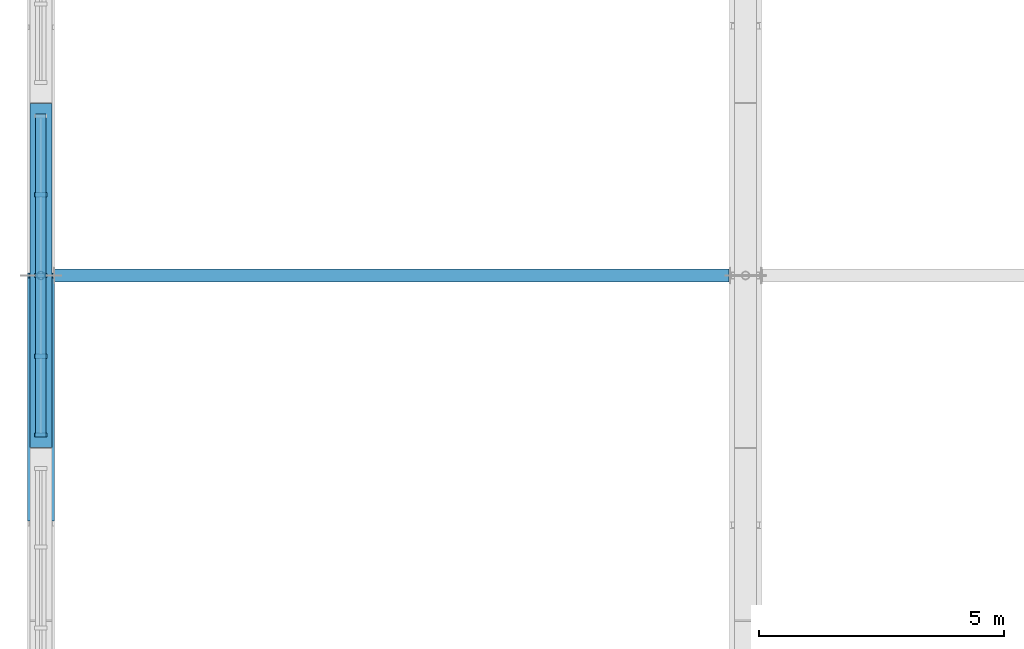
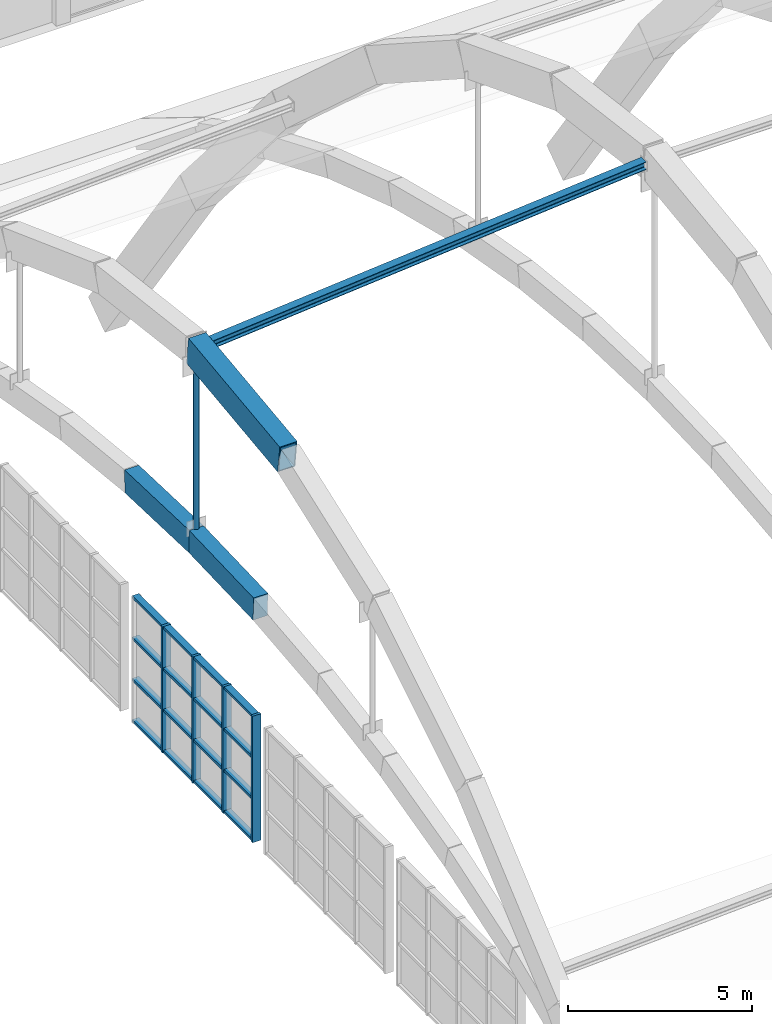
# One storey, part 5 of 64: 11 members, 2 beams, 1 element without a shape of its own.
"""IFC4 building model written with IfcOpenShell, lengths in metres."""

from ifc_helpers import new_model, si_unit, direction, frame, origin, origin_2d, place, context, subcontext, project, spatial, rectangle, hollow_rectangle, hollow_circle, i_section, extrude, material, material_profile, profile_set, type_object, element, aggregate, save


model = new_model("IFC4")

# Units and contexts
model_context = context("Model", 3, precision=1e-05, world=origin(), true_north=direction((0.0, 1.0)))
body_context = subcontext(model_context, "Body", "Model", "MODEL_VIEW")
ifc_project = project(units=[si_unit("LENGTHUNIT", "METRE"), si_unit("AREAUNIT", "SQUARE_METRE"), si_unit("VOLUMEUNIT", "CUBIC_METRE"), si_unit("PLANEANGLEUNIT", "RADIAN"), si_unit("MASSUNIT", "GRAM", prefix="KILO")], contexts=[model_context])

# Site, building, storey
site_placement = place(None, origin())
site = spatial("IfcSite", under=ifc_project, at=site_placement, CompositionType="ELEMENT")
building_placement = place(site_placement, origin())
building = spatial("IfcBuilding", under=site, at=building_placement, Name="Leyfeld Transit Interchange", CompositionType="ELEMENT")
storey_placement = place(building_placement, frame((0.0, 0.0, 9.60009765625)))
storey = spatial("IfcBuildingStorey", under=building, at=storey_placement, Name="L02", CompositionType="ELEMENT", Elevation=9.60009765625)

# Beams
ifc_material_1 = material(Name="Concrete C40/50", Category="concrete")
ifc_material_profile_1 = material_profile(ifc_material_1, rectangle(XDim=0.449951171875, YDim=0.75, at=origin_2d()), Name="RC 750x450 RIB")
ifc_profile_set_1 = profile_set([ifc_material_profile_1], Name="Concrete C40/50")
beam_type = type_object("IfcBeamType", Name="BM-RIB-750x450", PredefinedType="USERDEFINED", material=ifc_profile_set_1)
for number, where, z_axis, x_axis, name in (
    (1, (0.0, 28.89990234375, 7.317626953125), (0.0, 0.999387477159, 0.034995292518), (-1.0, 0.0, 0.0), "Concourse Vault Rib A1 Seg 8"),
    (2, (0.0, 32.39990234375, 7.440185546875), (0.0, 0.999387477159, -0.034995292518), (-1.0, 0.0, 0.0), "Concourse Vault Rib A1 Seg 9"),
):
    element("IfcBeam", number, at=place(storey_placement, frame(where, z_axis=z_axis, x_axis=x_axis)), inside=storey, type_object=beam_type, Name=name, ObjectType="ARCH_RIB", PredefinedType="USERDEFINED", context=body_context, shape_type="SweptSolid", body=[
        extrude(rectangle(XDim=0.449951171875, YDim=0.75, at=origin_2d()), origin(), (0.0, 0.0, 1.0), 3.502197265625),
    ])

# Curtain wall, members
ifc_material_2 = material(Name="Anodised aluminium EN AW-6060 T66", Category="aluminium")
curtain_wall_type = type_object("IfcCurtainWallType", Name="CW-SYS-GAB-7200", PredefinedType="NOTDEFINED", material=ifc_material_2)
curtain_wall_placement = place(storey_placement, origin())
curtain_wall = element("IfcCurtainWall", 3, at=curtain_wall_placement, inside=storey, type_object=curtain_wall_type, Name="Curtain Wall CW-L02-GABW-03", PredefinedType="NOTDEFINED")
ifc_material_profile_2 = material_profile(ifc_material_2, rectangle(XDim=0.0849609375, YDim=0.260009765625, at=origin_2d()), Name="CW-M 85x260")
ifc_profile_set_2 = profile_set([ifc_material_profile_2], Name="Anodised aluminium EN AW-6060 T66")
member_type_1 = type_object("IfcMemberType", Name="CW-MUL-220x80", PredefinedType="MULLION", material=ifc_profile_set_2)
member_1_placement = place(storey_placement, frame((0.0, 29.142578125, -0.60009765625), z_axis=(0.0, 0.0, 1.0), x_axis=(0.0, 1.0, 0.0)))
member_1 = element("IfcMember", 4, at=member_1_placement, type_object=member_type_1, Name="Curtain Mullion CW-L02-GABW-03-M01", PredefinedType="MULLION", context=body_context, shape_type="SweptSolid", body=[
    extrude(rectangle(XDim=0.0849609375, YDim=0.260009765625, at=origin_2d()), origin(), (0.0, 0.0, 1.0), 4.199951171875),
])
member_2_placement = place(storey_placement, frame((0.0, 30.75, -0.60009765625), z_axis=(0.0, 0.0, 1.0), x_axis=(0.0, 1.0, 0.0)))
member_2 = element("IfcMember", 5, at=member_2_placement, type_object=member_type_1, Name="Curtain Mullion CW-L02-GABW-03-M02", PredefinedType="MULLION", context=body_context, shape_type="SweptSolid", body=[
    extrude(rectangle(XDim=0.0849609375, YDim=0.260009765625, at=origin_2d()), origin(), (0.0, 0.0, 1.0), 4.199951171875),
])
member_3_placement = place(storey_placement, frame((0.0, 32.39990234375, -0.60009765625), z_axis=(0.0, 0.0, 1.0), x_axis=(0.0, 1.0, 0.0)))
member_3 = element("IfcMember", 6, at=member_3_placement, type_object=member_type_1, Name="Curtain Mullion CW-L02-GABW-03-M03", PredefinedType="MULLION", context=body_context, shape_type="SweptSolid", body=[
    extrude(rectangle(XDim=0.0849609375, YDim=0.260009765625, at=origin_2d()), origin(), (0.0, 0.0, 1.0), 4.199951171875),
])
member_4_placement = place(storey_placement, frame((0.0, 34.050048828125, -0.60009765625), z_axis=(0.0, 0.0, 1.0), x_axis=(0.0, 1.0, 0.0)))
member_4 = element("IfcMember", 7, at=member_4_placement, type_object=member_type_1, Name="Curtain Mullion CW-L02-GABW-03-M04", PredefinedType="MULLION", context=body_context, shape_type="SweptSolid", body=[
    extrude(rectangle(XDim=0.0849609375, YDim=0.260009765625, at=origin_2d()), origin(), (0.0, 0.0, 1.0), 4.199951171875),
])
ifc_material_profile_3 = material_profile(ifc_material_2, rectangle(XDim=0.2099609375, YDim=0.0849609375, at=origin_2d()), Name="CW-TRN-200x80")
ifc_profile_set_3 = profile_set([ifc_material_profile_3], Name="Anodised aluminium EN AW-6060 T66")
member_type_2 = type_object("IfcMemberType", Name="CW-TRN-200x80", PredefinedType="USERDEFINED", material=ifc_profile_set_3)
member_5_placement = place(storey_placement, frame((0.0, 29.10009765625, -0.5576171875), z_axis=(0.0, 1.0, 0.0), x_axis=(-1.0, 0.0, 0.0)))
member_5 = element("IfcMember", 8, at=member_5_placement, type_object=member_type_2, Name="Curtain Transom CW-L02-GABW-03-T01", ObjectType="TRANSOM", PredefinedType="USERDEFINED", context=body_context, shape_type="SweptSolid", body=[
    extrude(rectangle(XDim=0.2099609375, YDim=0.0849609375, at=origin_2d()), origin(), (0.0, 0.0, 1.0), 6.599853515625),
])
member_6_placement = place(storey_placement, frame((0.0, 29.10009765625, 0.814208984375), z_axis=(0.0, 1.0, 0.0), x_axis=(-1.0, 0.0, 0.0)))
member_6 = element("IfcMember", 9, at=member_6_placement, type_object=member_type_2, Name="Curtain Transom CW-L02-GABW-03-T02", ObjectType="TRANSOM", PredefinedType="USERDEFINED", context=body_context, shape_type="SweptSolid", body=[
    extrude(rectangle(XDim=0.2099609375, YDim=0.0849609375, at=origin_2d()), origin(), (0.0, 0.0, 1.0), 6.599853515625),
])
member_7_placement = place(storey_placement, frame((0.0, 29.10009765625, 2.185791015625), z_axis=(0.0, 1.0, 0.0), x_axis=(-1.0, 0.0, 0.0)))
member_7 = element("IfcMember", 10, at=member_7_placement, type_object=member_type_2, Name="Curtain Transom CW-L02-GABW-03-T03", ObjectType="TRANSOM", PredefinedType="USERDEFINED", context=body_context, shape_type="SweptSolid", body=[
    extrude(rectangle(XDim=0.2099609375, YDim=0.0849609375, at=origin_2d()), origin(), (0.0, 0.0, 1.0), 6.599853515625),
])
member_8_placement = place(storey_placement, frame((0.0, 29.10009765625, 3.557373046875), z_axis=(0.0, 1.0, 0.0), x_axis=(-1.0, 0.0, 0.0)))
member_8 = element("IfcMember", 11, at=member_8_placement, type_object=member_type_2, Name="Curtain Transom CW-L02-GABW-03-T04", ObjectType="TRANSOM", PredefinedType="USERDEFINED", context=body_context, shape_type="SweptSolid", body=[
    extrude(rectangle(XDim=0.2099609375, YDim=0.0849609375, at=origin_2d()), origin(), (0.0, 0.0, 1.0), 6.599853515625),
])
aggregate(curtain_wall, [member_1, member_2, member_3, member_4, member_5, member_6, member_7, member_8])

# Members
ifc_material_3 = material(Name="Steel S355J2 - Ochre Arch", Category="steel")
ifc_material_profile_4 = material_profile(ifc_material_3, hollow_rectangle(XDim=0.550048828125, YDim=0.89990234375, WallThickness=0.031982421875, at=origin_2d()), Name="RHS 900x550x32")
ifc_profile_set_4 = profile_set([ifc_material_profile_4], Name="Steel S355J2 - Ochre Arch")
member_type_3 = type_object("IfcMemberType", Name="MEM-ARCH-900", PredefinedType="USERDEFINED", material=ifc_profile_set_4)
member_9_placement = place(storey_placement, frame((0.0, 27.433349609375, 13.191650390625), z_axis=(0.0, 0.992586268566, 0.121542171508), x_axis=(-1.0, 0.0, 0.0)))
element("IfcMember", 12, at=member_9_placement, inside=storey, type_object=member_type_3, Name="Primary Steel Arch GP-W Seg 6", ObjectType="ARCH_SEGMENT", PredefinedType="USERDEFINED", context=body_context, shape_type="SweptSolid", body=[
    extrude(hollow_rectangle(XDim=0.550048828125, YDim=0.89990234375, WallThickness=0.031982421875, at=origin_2d()), origin(), (0.0, 0.0, 1.0), 5.003662109375),
])
ifc_material_4 = material(Name="Steel S355J2", Category="steel")
ifc_material_profile_5 = material_profile(ifc_material_4, i_section(OverallWidth=0.260009765625, OverallDepth=0.260009765625, WebThickness=0.010009765625, FlangeThickness=0.017578125, FilletRadius=0.02392578125, at=origin_2d()), Name="HEB 260")
ifc_profile_set_5 = profile_set([ifc_material_profile_5], Name="Steel S355J2")
member_type_4 = type_object("IfcMemberType", Name="MEM-CHD-HEB260", PredefinedType="CHORD", material=ifc_profile_set_5)
member_10_placement = place(storey_placement, frame((0.27490234375, 32.39990234375, 13.7998046875), z_axis=(0.996239397687, 0.0, 0.086643306131), x_axis=(0.0, 1.0, 0.0)))
element("IfcMember", 13, at=member_10_placement, inside=storey, type_object=member_type_4, Name="Arch Longitudinal Tie Chord B1 T2", PredefinedType="CHORD", context=body_context, shape_type="SweptSolid", body=[
    extrude(i_section(OverallWidth=0.260009765625, OverallDepth=0.260009765625, WebThickness=0.010009765625, FlangeThickness=0.017578125, FilletRadius=0.02392578125, at=origin_2d()), origin(), (0.0, 0.0, 1.0), 13.85205078125),
])
ifc_material_profile_6 = material_profile(ifc_material_4, hollow_circle(Radius=0.084228515625, WallThickness=0.008056640625, at=origin_2d()), Name="CHS 168.3x8")
ifc_profile_set_6 = profile_set([ifc_material_profile_6], Name="Steel S355J2")
member_type_5 = type_object("IfcMemberType", Name="MEM-HGR-168", PredefinedType="USERDEFINED", material=ifc_profile_set_6)
member_11_placement = place(storey_placement, frame((0.0, 32.39990234375, 7.815185546875), z_axis=(0.0, 0.0, 1.0), x_axis=(1.0, 0.0, 0.0)))
element("IfcMember", 14, at=member_11_placement, inside=storey, type_object=member_type_5, Name="Arch Tension Hanger GP-W H4", ObjectType="SUSPENDER", PredefinedType="USERDEFINED", context=body_context, shape_type="SweptSolid", body=[
    extrude(hollow_circle(Radius=0.084228515625, WallThickness=0.008056640625, at=origin_2d()), origin(), (0.0, 0.0, 1.0), 5.53125),
])

save(model, "model.ifc")
